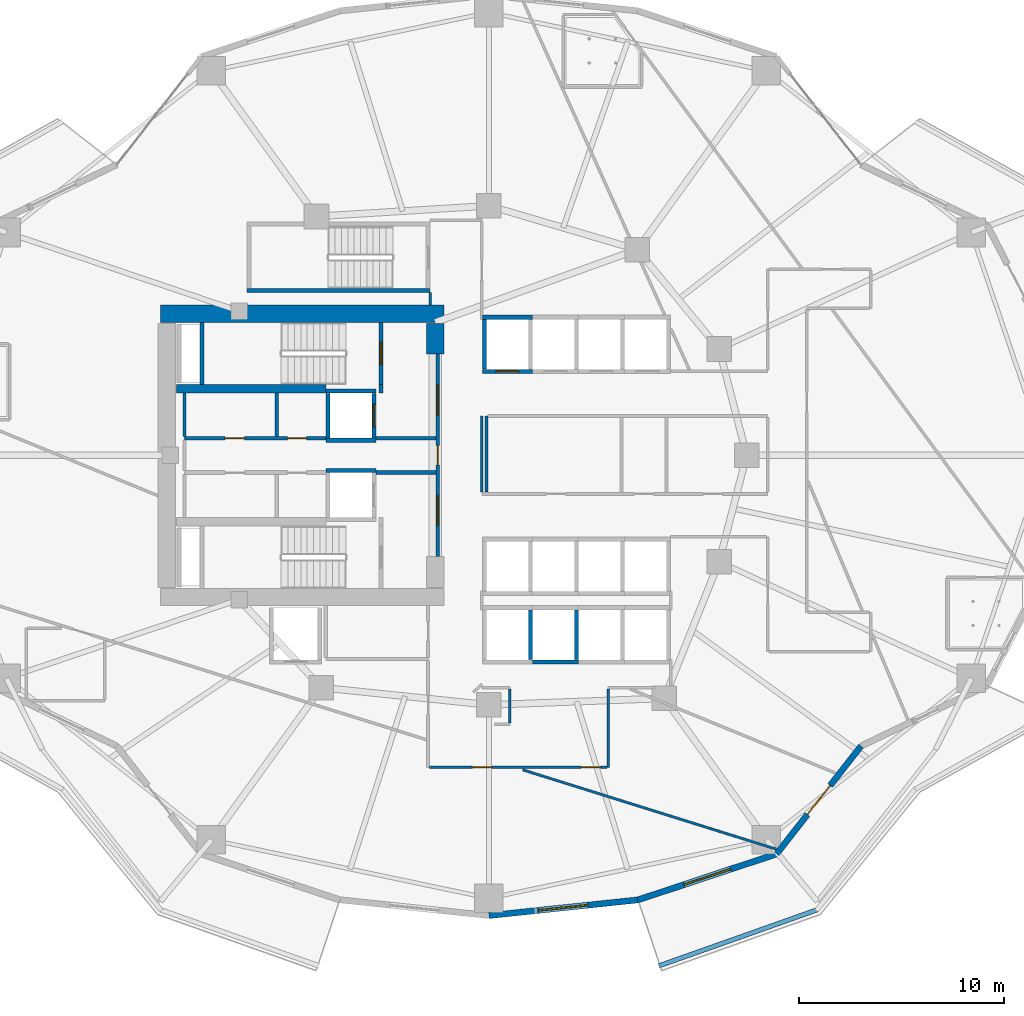
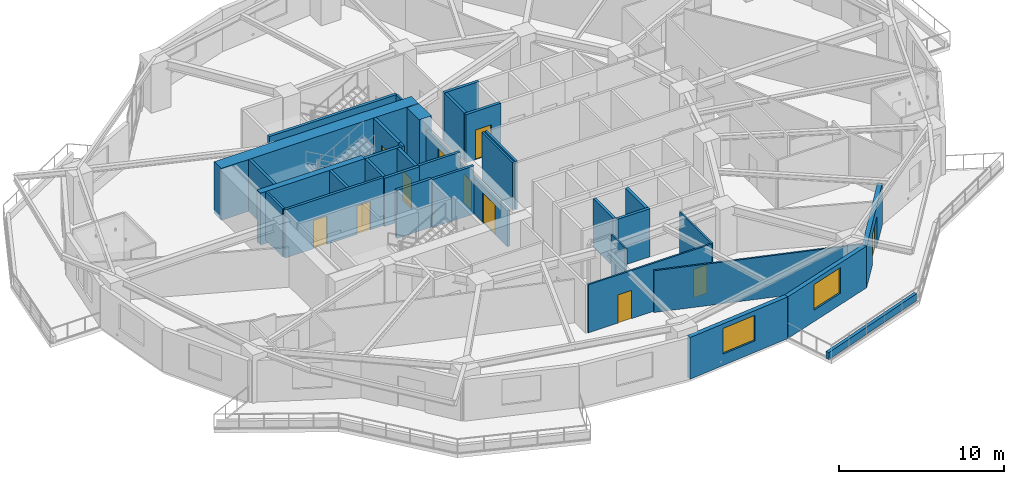
# One storey, part 6 of 18: 35 walls, 11 doors, 2 windows, 13 openings.
"""IFC4 building model written with IfcOpenShell, lengths in metres."""

import ifcopenshell
import ifcopenshell.guid

model = None  # the IFC model being written
_history = None  # IfcOwnerHistory: only IFC2X3 demands one
_inside = {}  # id of a spatial element -> (the spatial element, [elements in it])
_under = {}  # id of a project, library or spatial element -> (it, [spatial elements below it])
_declared = {}  # id of a project -> (the project, [libraries it declares])
_typed = {}  # id of a type object -> (the type object, [elements of that type])
_made_of = {}  # id of a material, layer set ... -> (it, [elements and type objects made of it])


def new_model(schema):
    """Start an empty IFC model of exactly this schema.

    Asked for "IFC4X3", IfcOpenShell would pick the latest addendum, in which some entities
    have other attributes; the version numbers below select the first issue.
    IFC2X3 requires an IfcOwnerHistory on every rooted entity: one is made here for all.
    """
    global model, _history
    if schema == "IFC4X3":
        model = ifcopenshell.file(schema_version=(4, 3, 0, 0))
    else:
        model = ifcopenshell.file(schema=schema)
    _inside.clear()
    _under.clear()
    _declared.clear()
    _typed.clear()
    _made_of.clear()
    _history = None
    if model.schema == "IFC2X3":
        org = make("IfcOrganization", Name="unknown")
        user = make(
            "IfcPersonAndOrganization",
            ThePerson=make("IfcPerson", FamilyName="unknown"),
            TheOrganization=org,
        )
        app = make(
            "IfcApplication",
            ApplicationDeveloper=org,
            Version="unknown",
            ApplicationFullName="unknown",
            ApplicationIdentifier="unknown",
        )
        _history = make(
            "IfcOwnerHistory",
            OwningUser=user,
            OwningApplication=app,
            ChangeAction="ADDED",
            CreationDate=0,
        )
    return model


def make(cls, **values):
    """One entity of the class cls with the attributes given. An attribute that is None is left unset."""
    return model.create_entity(
        cls, **{name: value for name, value in values.items() if value is not None}
    )


def rooted(cls, **values):
    """An entity with a GlobalId (a new one), such as an element, a storey or a relation."""
    return make(cls, GlobalId=ifcopenshell.guid.new(), OwnerHistory=_history, **values)


def si_unit(unit_type, name, prefix=None):
    """IfcSIUnit, for example si_unit("LENGTHUNIT", "METRE", prefix="MILLI")."""
    return make("IfcSIUnit", UnitType=unit_type, Prefix=prefix, Name=name)


def assignment(units):
    """IfcUnitAssignment: the units of a project."""
    return None if units is None else make("IfcUnitAssignment", Units=units)


def point(xyz):
    """IfcCartesianPoint."""
    return None if xyz is None else make("IfcCartesianPoint", Coordinates=xyz)


def direction(xyz):
    """IfcDirection."""
    return None if xyz is None else make("IfcDirection", DirectionRatios=xyz)


def frame(location, z_axis=None, x_axis=None):
    """IfcAxis2Placement3D, a coordinate frame: its origin and axes. An axis left out is left unset."""
    return make(
        "IfcAxis2Placement3D",
        Location=point(location),
        Axis=direction(z_axis),
        RefDirection=direction(x_axis),
    )


def frame_2d(location, x_axis=None):
    """IfcAxis2Placement2D, a coordinate frame in the plane: its origin and x axis."""
    return make(
        "IfcAxis2Placement2D", Location=point(location), RefDirection=direction(x_axis)
    )


def origin():
    """The frame at (0, 0, 0) with its axes left unset."""
    return frame((0.0, 0.0, 0.0))


def place(relative_to, where):
    """IfcLocalPlacement: puts the frame where relative to a parent placement (None: the world)."""
    return make(
        "IfcLocalPlacement", PlacementRelTo=relative_to, RelativePlacement=where
    )


def context(
    kind, dimensions, precision=None, world=None, true_north=None, identifier=None
):
    """IfcGeometricRepresentationContext, for example the 3D "Model" context."""
    return make(
        "IfcGeometricRepresentationContext",
        ContextIdentifier=identifier,
        ContextType=kind,
        CoordinateSpaceDimension=dimensions,
        Precision=precision,
        WorldCoordinateSystem=world,
        TrueNorth=true_north,
    )


def subcontext(parent, identifier, kind, view, scale=None):
    """IfcGeometricRepresentationSubContext, for example "Body" below "Model"."""
    return make(
        "IfcGeometricRepresentationSubContext",
        ContextIdentifier=identifier,
        ContextType=kind,
        ParentContext=parent,
        TargetScale=scale,
        TargetView=view,
    )


def project(units=None, contexts=None):
    """IfcProject with its units and contexts."""
    return rooted(
        "IfcProject",
        Name="project",
        RepresentationContexts=contexts,
        UnitsInContext=assignment(units),
    )


def spatial(cls, under=None, at=None, **own):
    """A site, building, storey or space (cls), placed at a placement, below another one or the project."""
    s = rooted(cls, ObjectPlacement=at, **own)
    if under is not None:
        _under.setdefault(under.id(), (under, []))[1].append(s)
    return s


def profile(cls, at=None, kind="AREA", **sizes):
    """A parametric profile (cls). Its sizes go by their IFC names, for example OverallWidth=200.0."""
    return make(cls, ProfileType=kind, Position=at, **sizes)


def rectangle(**sizes):
    """IfcRectangleProfileDef."""
    return profile("IfcRectangleProfileDef", **sizes)


def extrude(swept, where, along, depth):
    """IfcExtrudedAreaSolid: the profile swept, set in the frame where, extruded along a direction by depth."""
    return make(
        "IfcExtrudedAreaSolid",
        SweptArea=swept,
        Position=where,
        ExtrudedDirection=direction(along),
        Depth=depth,
    )


def shape(context_of_items, identifier, shape_type, items):
    """IfcShapeRepresentation: the items that make up one representation, for example the "Body"."""
    return make(
        "IfcShapeRepresentation",
        ContextOfItems=context_of_items,
        RepresentationIdentifier=identifier,
        RepresentationType=shape_type,
        Items=items,
    )


def material(Name=None, Category=None):
    """IfcMaterial."""
    return make("IfcMaterial", Name=Name, Category=Category)


def layer(
    of_material, thickness, ventilated=None, Name=None, Category=None, Priority=None
):
    """IfcMaterialLayer: one layer of a wall or slab, of a material (None: an air gap)."""
    return make(
        "IfcMaterialLayer",
        Material=of_material,
        LayerThickness=thickness,
        IsVentilated=ventilated,
        Name=Name,
        Category=Category,
        Priority=Priority,
    )


def layer_set(layers, Name=None):
    """IfcMaterialLayerSet."""
    return make("IfcMaterialLayerSet", MaterialLayers=layers, LayerSetName=Name)


def made_of(thing, what):
    """Note that an element or type object is made of a material, layer set ...; save() writes the relation."""
    if what is not None:
        _made_of.setdefault(what.id(), (what, []))[1].append(thing)
    return thing


def type_object(cls, material=None, **own):
    """A type object (cls), such as IfcWallType, which elements share."""
    return made_of(rooted(cls, **own), material)


def element(
    cls,
    number,
    at=None,
    inside=None,
    cuts=None,
    type_object=None,
    material=None,
    context=None,
    identifier="Body",
    shape_type=None,
    held_by="IfcProductDefinitionShape",
    body=None,
    shapes=None,
    **own,
):
    """One element of the class cls, such as IfcWall. Its Tag is "e" and its number.

    at: its placement. inside: the storey or other place that contains it. cuts: it is an
    opening in that element (IfcRelVoidsElement). A single representation is given by context,
    identifier, shape_type and body (its items); several are given by shapes. held_by: the class
    of the entity that holds the representations. save() writes the other relations.
    """
    e = rooted(cls, Tag="e%d" % number, ObjectPlacement=at, **own)
    if body is not None:
        shapes = [shape(context, identifier, shape_type, body)]
    if shapes is not None:
        e.Representation = make(held_by, Representations=shapes)
    if inside is not None:
        _inside.setdefault(inside.id(), (inside, []))[1].append(e)
    if cuts is not None:
        rooted(
            "IfcRelVoidsElement", RelatingBuildingElement=cuts, RelatedOpeningElement=e
        )
    if type_object is not None:
        _typed.setdefault(type_object.id(), (type_object, []))[1].append(e)
    return made_of(e, material)


def fill(opening, filler):
    """IfcRelFillsElement: the door or window that sits in an opening."""
    return rooted(
        "IfcRelFillsElement",
        RelatingOpeningElement=opening,
        RelatedBuildingElement=filler,
    )


def aggregate(whole, parts):
    """IfcRelAggregates: a whole, such as a stair, and the parts it consists of."""
    return rooted("IfcRelAggregates", RelatingObject=whole, RelatedObjects=parts)


def save(model, path):
    """Write the relations noted so far, then the file.

    IfcRelAggregates (storeys below a building ...), IfcRelContainedInSpatialStructure (elements
    in a storey), IfcRelDefinesByType, IfcRelAssociatesMaterial and IfcRelDeclares: one each for
    every whole, place, type object, material and project.
    """
    for whole, parts in _under.values():
        aggregate(whole, parts)
    for where, things in _inside.values():
        rooted(
            "IfcRelContainedInSpatialStructure",
            RelatedElements=things,
            RelatingStructure=where,
        )
    for kind, things in _typed.values():
        rooted("IfcRelDefinesByType", RelatedObjects=things, RelatingType=kind)
    for what, things in _made_of.values():
        rooted("IfcRelAssociatesMaterial", RelatedObjects=things, RelatingMaterial=what)
    for by, libraries in _declared.values():
        rooted("IfcRelDeclares", RelatingContext=by, RelatedDefinitions=libraries)
    model.write(path)


model = new_model("IFC4")

# Units and contexts
model_context = context("Model", 3, precision=1e-05, world=origin(), true_north=direction((0.0, 1.0)))
body_context = subcontext(model_context, "Body", "Model", "MODEL_VIEW")
ifc_project = project(units=[si_unit("LENGTHUNIT", "METRE"), si_unit("AREAUNIT", "SQUARE_METRE"), si_unit("VOLUMEUNIT", "CUBIC_METRE"), si_unit("PLANEANGLEUNIT", "RADIAN"), si_unit("MASSUNIT", "GRAM", prefix="KILO")], contexts=[model_context])

# Site, building, storey
site_placement = place(None, origin())
site = spatial("IfcSite", under=ifc_project, at=site_placement, CompositionType="ELEMENT")
building_placement = place(site_placement, origin())
building = spatial("IfcBuilding", under=site, at=building_placement, Name="Kolvaren Gate Tower and Convention Centre", CompositionType="ELEMENT")
storey_placement = place(building_placement, frame((0.0, 0.0, 30.35009765625)))
storey = spatial("IfcBuildingStorey", under=building, at=storey_placement, Name="L06", CompositionType="ELEMENT", Elevation=30.35009765625)

# Wall
ifc_material_1 = material(Name="Autoclaved Aerated Masonry Blockwork Class 4 (4.0 MPa)", Category="masonry")
ifc_layer_1 = layer(ifc_material_1, 0.179931640625)
ifc_layer_set_1 = layer_set([ifc_layer_1], Name="Autoclaved Aerated Masonry Blockwork Class 4 (4.0 MPa)")
wall_type_1 = type_object("IfcWallType", Name="ARCH-WL-COMP-180", PredefinedType="SOLIDWALL", material=ifc_layer_set_1)
wall_1_placement = place(storey_placement, frame((24.85009765625, 30.0400390625, 0.0), z_axis=(0.0, 0.0, 1.0), x_axis=(0.0, 1.0, 0.0)))
element("IfcWall", 1, at=wall_1_placement, inside=storey, type_object=wall_type_1, Name="Interior Partition WL-L06-INT-002", PredefinedType="SOLIDWALL", context=body_context, shape_type="SweptSolid", body=[
    extrude(rectangle(XDim=0.419921875, YDim=0.179931640625, at=frame_2d((0.2099609375, 0.0))), origin(), (0.0, 0.0, 1.0), 3.56982421875),
])

# Wall, openings, doors
wall_2_placement = place(storey_placement, frame((27.6201171875, 22.050048828125, 0.0), z_axis=(0.0, 0.0, 1.0), x_axis=(0.0, 1.0, 0.0)))
wall_2 = element("IfcWall", 2, at=wall_2_placement, inside=storey, type_object=wall_type_1, Name="Interior Partition WL-L06-INT-003", PredefinedType="SOLIDWALL", context=body_context, shape_type="SweptSolid", body=[
    extrude(rectangle(XDim=9.89990234375, YDim=0.179931640625, at=frame_2d((4.949951171875, 0.0))), origin(), (0.0, 0.0, 1.0), 2.661865234375),
])
opening_1_placement = place(wall_2_placement, frame((4.47509765625, 0.0, 0.0)))
opening_1 = element("IfcOpeningElement", 3, at=opening_1_placement, cuts=wall_2, Name="Opening DR-01", PredefinedType="OPENING", context=body_context, shape_type="SweptSolid", body=[
    extrude(rectangle(XDim=0.949951171875, YDim=2.10009765625, at=frame_2d((0.47509765625, 1.050048828125))), frame((0.0, 0.099853515625, 0.0), z_axis=(0.0, -1.0, 0.0), x_axis=(1.0, 0.0, 0.0)), (0.0, 0.0, 1.0), 0.199951171875),
])
opening_2_placement = place(wall_2_placement, frame((6.889892578125, 0.0, 0.0)))
opening_2 = element("IfcOpeningElement", 4, at=opening_2_placement, cuts=wall_2, Name="Opening DL-01", PredefinedType="OPENING", context=body_context, shape_type="SweptSolid", body=[
    extrude(rectangle(XDim=1.5, YDim=2.199951171875, at=frame_2d((0.75, 1.10009765625))), frame((0.0, 0.099853515625, 0.0), z_axis=(0.0, -1.0, 0.0), x_axis=(1.0, 0.0, 0.0)), (0.0, 0.0, 1.0), 0.199951171875),
])
opening_3_placement = place(wall_2_placement, frame((1.510009765625, 0.0, 0.0)))
opening_3 = element("IfcOpeningElement", 5, at=opening_3_placement, cuts=wall_2, Name="Opening DL-01", PredefinedType="OPENING", context=body_context, shape_type="SweptSolid", body=[
    extrude(rectangle(XDim=1.5, YDim=2.199951171875, at=frame_2d((0.75, 1.10009765625))), frame((0.0, 0.099853515625, 0.0), z_axis=(0.0, -1.0, 0.0), x_axis=(1.0, 0.0, 0.0)), (0.0, 0.0, 1.0), 0.199951171875),
])
ifc_material_2 = material(Name="Painted Architectural Steelwork ASTM A500 Grade C 345 MPa", Category="steel")
door_type_1 = type_object("IfcDoorType", Name="ARCH-DR-LOBBY-1500", OperationType="DOUBLE_DOOR_SINGLE_SWING", PredefinedType="DOOR", material=ifc_material_2)
door_1_placement = place(opening_2_placement, origin())
door_1 = element("IfcDoor", 6, at=door_1_placement, inside=storey, type_object=door_type_1, Name="North Firefighting Stair and Lift Lobby Door", OperationType="DOUBLE_DOOR_SINGLE_SWING", OverallHeight=2.199951171875, OverallWidth=1.5, PredefinedType="DOOR", context=body_context, shape_type="SweptSolid", body=[
    extrude(rectangle(XDim=1.5, YDim=2.199951171875, at=frame_2d((0.75, 1.10009765625))), frame((0.0, 0.02490234375, 0.0), z_axis=(0.0, -1.0, 0.0), x_axis=(1.0, 0.0, 0.0)), (0.0, 0.0, 1.0), 0.050048828125),
])
fill(opening_2, door_1)
door_2_placement = place(opening_3_placement, origin())
door_2 = element("IfcDoor", 7, at=door_2_placement, inside=storey, type_object=door_type_1, Name="South Firefighting Stair and Lift Lobby Door", OperationType="DOUBLE_DOOR_SINGLE_SWING", OverallHeight=2.199951171875, OverallWidth=1.5, PredefinedType="DOOR", context=body_context, shape_type="SweptSolid", body=[
    extrude(rectangle(XDim=1.5, YDim=2.199951171875, at=frame_2d((0.75, 1.10009765625))), frame((0.0, 0.02490234375, 0.0), z_axis=(0.0, -1.0, 0.0), x_axis=(1.0, 0.0, 0.0)), (0.0, 0.0, 1.0), 0.050048828125),
])
fill(opening_3, door_2)
door_type_2 = type_object("IfcDoorType", Name="ARCH-DR-RISER-950", OperationType="SINGLE_SWING_RIGHT", PredefinedType="DOOR", material=ifc_material_2)
door_3_placement = place(opening_1_placement, origin())
door_3 = element("IfcDoor", 8, at=door_3_placement, inside=storey, type_object=door_type_2, Name="Central MEP Service Corridor Door", OperationType="SINGLE_SWING_LEFT", OverallHeight=2.10009765625, OverallWidth=0.949951171875, PredefinedType="DOOR", context=body_context, shape_type="SweptSolid", body=[
    extrude(rectangle(XDim=0.949951171875, YDim=2.10009765625, at=frame_2d((0.47509765625, 1.050048828125))), frame((0.0, 0.02490234375, 0.0), z_axis=(0.0, -1.0, 0.0), x_axis=(1.0, 0.0, 0.0)), (0.0, 0.0, 1.0), 0.050048828125),
])
fill(opening_1, door_3)

wall_3_placement = place(storey_placement, frame((15.25, 27.840087890625, 0.0), z_axis=(0.0, 0.0, 1.0), x_axis=(1.0, 0.0, 0.0)))
wall_3 = element("IfcWall", 9, at=wall_3_placement, inside=storey, type_object=wall_type_1, Name="Interior Partition WL-L06-INT-004", PredefinedType="SOLIDWALL", context=body_context, shape_type="SweptSolid", body=[
    extrude(rectangle(XDim=6.89990234375, YDim=0.179931640625, at=frame_2d((3.449951171875, 0.0))), origin(), (0.0, 0.0, 1.0), 3.56982421875),
])
opening_4_placement = place(wall_3_placement, frame((5.02001953125, 0.0, 0.0)))
opening_4 = element("IfcOpeningElement", 10, at=opening_4_placement, cuts=wall_3, Name="Opening DR-01", PredefinedType="OPENING", context=body_context, shape_type="SweptSolid", body=[
    extrude(rectangle(XDim=0.949951171875, YDim=2.10009765625, at=frame_2d((0.47509765625, 1.050048828125))), frame((0.0, 0.099853515625, 0.0), z_axis=(0.0, -1.0, 0.0), x_axis=(1.0, 0.0, 0.0)), (0.0, 0.0, 1.0), 0.199951171875),
])
opening_5_placement = place(wall_3_placement, frame((1.97998046875, 0.0, 0.0)))
opening_5 = element("IfcOpeningElement", 11, at=opening_5_placement, cuts=wall_3, Name="Opening DR-01", PredefinedType="OPENING", context=body_context, shape_type="SweptSolid", body=[
    extrude(rectangle(XDim=0.949951171875, YDim=2.10009765625, at=frame_2d((0.47509765625, 1.050048828125))), frame((0.0, 0.099853515625, 0.0), z_axis=(0.0, -1.0, 0.0), x_axis=(1.0, 0.0, 0.0)), (0.0, 0.0, 1.0), 0.199951171875),
])
door_4_placement = place(opening_4_placement, origin())
door_4 = element("IfcDoor", 12, at=door_4_placement, inside=storey, type_object=door_type_2, Name="Electrical Switchgear Closet Door", OperationType="SINGLE_SWING_RIGHT", OverallHeight=2.10009765625, OverallWidth=0.949951171875, PredefinedType="DOOR", context=body_context, shape_type="SweptSolid", body=[
    extrude(rectangle(XDim=0.949951171875, YDim=2.10009765625, at=frame_2d((0.47509765625, 1.050048828125))), frame((0.0, 0.02490234375, 0.0), z_axis=(0.0, -1.0, 0.0), x_axis=(1.0, 0.0, 0.0)), (0.0, 0.0, 1.0), 0.050048828125),
])
fill(opening_4, door_4)
door_5_placement = place(opening_5_placement, origin())
door_5 = element("IfcDoor", 13, at=door_5_placement, inside=storey, type_object=door_type_2, Name="Staff Powder Washroom Door", OperationType="SINGLE_SWING_RIGHT", OverallHeight=2.10009765625, OverallWidth=0.949951171875, PredefinedType="DOOR", context=body_context, shape_type="SweptSolid", body=[
    extrude(rectangle(XDim=0.949951171875, YDim=2.10009765625, at=frame_2d((0.47509765625, 1.050048828125))), frame((0.0, 0.02490234375, 0.0), z_axis=(0.0, -1.0, 0.0), x_axis=(1.0, 0.0, 0.0)), (0.0, 0.0, 1.0), 0.050048828125),
])
fill(opening_5, door_5)

# Walls
for number, where, z_axis, x_axis, name in (
    (14, (24.60009765625, 27.840087890625, 0.0), (0.0, 0.0, 1.0), (1.0, 0.0, 0.0), "Interior Partition WL-L06-INT-004 (2)"),
    (15, (24.60009765625, 26.159912109375, 0.0), (0.0, 0.0, 1.0), (1.0, 0.0, 0.0), "Interior Partition WL-L06-INT-005 (2)"),
):
    element("IfcWall", number, at=place(storey_placement, frame(where, z_axis=z_axis, x_axis=x_axis)), inside=storey, type_object=wall_type_1, Name=name, PredefinedType="SOLIDWALL", context=body_context, shape_type="SweptSolid", body=[
        extrude(rectangle(XDim=2.927978515625, YDim=0.179931640625, at=frame_2d((1.4638671875, 0.0))), origin(), (0.0, 0.0, 1.0), 3.56982421875),
    ])
wall_4_placement = place(storey_placement, frame((19.75, 27.931884765625, 0.0), z_axis=(0.0, 0.0, 1.0), x_axis=(0.0, 1.0, 0.0)))
element("IfcWall", 16, at=wall_4_placement, inside=storey, type_object=wall_type_1, Name="Interior Partition WL-L06-INT-008", PredefinedType="SOLIDWALL", context=body_context, shape_type="SweptSolid", body=[
    extrude(rectangle(XDim=2.106201171875, YDim=0.179931640625, at=frame_2d((1.05322265625, 0.0))), origin(), (0.0, 0.0, 1.0), 3.56982421875),
])
ifc_material_3 = material(Name="Fire-Rated Acoustic Gypsum Stud Partition", Category="gypsum")
ifc_layer_2 = layer(ifc_material_3, 0.1201171875)
ifc_layer_set_2 = layer_set([ifc_layer_2], Name="Fire-Rated Acoustic Gypsum Stud Partition")
wall_type_2 = type_object("IfcWallType", Name="ARCH-WL-PART-120", PredefinedType="PARTITIONING", material=ifc_layer_set_2)
wall_5_placement = place(storey_placement, frame((35.949951171875, 11.75, 0.0), z_axis=(0.0, 0.0, 1.0), x_axis=(0.0, 1.0, 0.0)))
element("IfcWall", 17, at=wall_5_placement, inside=storey, type_object=wall_type_2, Name="Interior Partition WL-L06-INT-019", PredefinedType="PARTITIONING", context=body_context, shape_type="SweptSolid", body=[
    extrude(rectangle(XDim=3.837890625, YDim=0.1201171875, at=frame_2d((1.9189453125, 0.0))), origin(), (0.0, 0.0, 1.0), 3.56982421875),
])

# Wall, openings, doors
wall_6_placement = place(storey_placement, frame((27.22705078125, 11.75, 0.0), z_axis=(0.0, 0.0, 1.0), x_axis=(1.0, 0.0, 0.0)))
wall_6 = element("IfcWall", 18, at=wall_6_placement, inside=storey, type_object=wall_type_2, Name="Interior Partition WL-L06-INT-020", PredefinedType="PARTITIONING", context=body_context, shape_type="SweptSolid", body=[
    extrude(rectangle(XDim=8.660888671875, YDim=0.1201171875, at=frame_2d((4.33056640625, 0.0))), origin(), (0.0, 0.0, 1.0), 3.56982421875),
])
opening_6_placement = place(wall_6_placement, frame((2.09130859375, 0.0, 0.0)))
opening_6 = element("IfcOpeningElement", 19, at=opening_6_placement, cuts=wall_6, Name="Opening DR-01", PredefinedType="OPENING", context=body_context, shape_type="SweptSolid", body=[
    extrude(rectangle(XDim=0.949951171875, YDim=2.10009765625, at=frame_2d((0.47509765625, 1.050048828125))), frame((0.0, 0.070068359375, 0.0), z_axis=(0.0, -1.0, 0.0), x_axis=(1.0, 0.0, 0.0)), (0.0, 0.0, 1.0), 0.14013671875),
])
opening_7_placement = place(wall_6_placement, frame((7.408203125, 0.0, 0.0)))
opening_7 = element("IfcOpeningElement", 20, at=opening_7_placement, cuts=wall_6, Name="Opening DR-01", PredefinedType="OPENING", context=body_context, shape_type="SweptSolid", body=[
    extrude(rectangle(XDim=0.949951171875, YDim=2.10009765625, at=frame_2d((0.47509765625, 1.050048828125))), frame((0.0, 0.070068359375, 0.0), z_axis=(0.0, -1.0, 0.0), x_axis=(1.0, 0.0, 0.0)), (0.0, 0.0, 1.0), 0.14013671875),
])
door_6_placement = place(opening_6_placement, origin())
door_6 = element("IfcDoor", 21, at=door_6_placement, inside=storey, type_object=door_type_2, Name="Open-Plan Office Suite Door", OperationType="SINGLE_SWING_RIGHT", OverallHeight=2.10009765625, OverallWidth=0.949951171875, PredefinedType="DOOR", context=body_context, shape_type="SweptSolid", body=[
    extrude(rectangle(XDim=0.949951171875, YDim=2.10009765625, at=frame_2d((0.47509765625, 1.050048828125))), frame((0.0, 0.02490234375, 0.0), z_axis=(0.0, -1.0, 0.0), x_axis=(1.0, 0.0, 0.0)), (0.0, 0.0, 1.0), 0.050048828125),
])
fill(opening_6, door_6)
door_7_placement = place(opening_7_placement, origin())
door_7 = element("IfcDoor", 22, at=door_7_placement, inside=storey, type_object=door_type_2, Name="Tenant Cellular Office Door", OperationType="SINGLE_SWING_LEFT", OverallHeight=2.10009765625, OverallWidth=0.949951171875, PredefinedType="DOOR", context=body_context, shape_type="SweptSolid", body=[
    extrude(rectangle(XDim=0.949951171875, YDim=2.10009765625, at=frame_2d((0.47509765625, 1.050048828125))), frame((0.0, 0.02490234375, 0.0), z_axis=(0.0, -1.0, 0.0), x_axis=(1.0, 0.0, 0.0)), (0.0, 0.0, 1.0), 0.050048828125),
])
fill(opening_7, door_7)

# Walls
wall_7_placement = place(storey_placement, frame((27.25, 34.35205078125, 0.0), z_axis=(0.0, 0.0, 1.0), x_axis=(0.0, 1.0, 0.0)))
element("IfcWall", 23, at=wall_7_placement, inside=storey, type_object=wall_type_2, Name="Interior Partition WL-L06-INT-021", PredefinedType="PARTITIONING", context=body_context, shape_type="SweptSolid", body=[
    extrude(rectangle(XDim=0.60595703125, YDim=0.1201171875, at=frame_2d((0.302978515625, 0.0))), origin(), (0.0, 0.0, 1.0), 3.56982421875),
])
wall_8_placement = place(storey_placement, frame((29.780029296875, 25.197021484375, 0.0), z_axis=(0.0, 0.0, 1.0), x_axis=(0.0, 1.0, 0.0)))
element("IfcWall", 24, at=wall_8_placement, inside=storey, type_object=wall_type_2, Name="Interior Partition WL-L06-INT-024", PredefinedType="PARTITIONING", context=body_context, shape_type="SweptSolid", body=[
    extrude(rectangle(XDim=3.722900390625, YDim=0.1201171875, at=frame_2d((1.861328125, 0.0))), origin(), (0.0, 0.0, 1.0), 3.56982421875),
])
wall_9_placement = place(storey_placement, frame((31.14990234375, 13.912109375, 0.0), z_axis=(0.0, 0.0, 1.0), x_axis=(0.0, 1.0, 0.0)))
element("IfcWall", 25, at=wall_9_placement, inside=storey, type_object=wall_type_2, Name="Interior Partition WL-L06-INT-041", PredefinedType="PARTITIONING", context=body_context, shape_type="SweptSolid", body=[
    extrude(rectangle(XDim=1.67578125, YDim=0.1201171875, at=frame_2d((0.837890625, 0.0))), origin(), (0.0, 0.0, 1.0), 3.56982421875),
])
wall_10_placement = place(storey_placement, frame((31.7744140625, 11.6279296875, 0.0), z_axis=(0.0, 0.0, 1.0), x_axis=(0.954372945157, -0.298617282742, 0.0)))
element("IfcWall", 26, at=wall_10_placement, inside=storey, type_object=wall_type_2, Name="Interior Partition WL-L06-INT-045", PredefinedType="PARTITIONING", context=body_context, shape_type="SweptSolid", body=[
    extrude(rectangle(XDim=12.995361328125, YDim=0.1201171875, at=frame_2d((6.49755859375, 0.0))), origin(), (0.0, 0.0, 1.0), 3.093017578125),
])
ifc_material_4 = material(Name="Piedmont Cream Honed Limestone Cladding", Category="masonry")
ifc_layer_3 = layer(ifc_material_4, 0.219970703125)
ifc_layer_set_3 = layer_set([ifc_layer_3], Name="Piedmont Cream Honed Limestone Cladding")
wall_type_3 = type_object("IfcWallType", Name="ARCH-WL-PLANTER-220", PredefinedType="PARAPET", material=ifc_layer_set_3)
wall_11_placement = place(storey_placement, frame((38.43798828125, 2.044921875, 0.0), z_axis=(0.0, 0.0, 1.0), x_axis=(0.942581348797, 0.333976647237, 0.0)))
element("IfcWall", 27, at=wall_11_placement, inside=storey, type_object=wall_type_3, Name="Vertical-Forest Balcony Stone Planter Kerb PK-L06-4.1", PredefinedType="PARAPET", context=body_context, shape_type="SweptSolid", body=[
    extrude(rectangle(XDim=8.235595703125, YDim=0.219970703125, at=frame_2d((4.11767578125, 0.0))), origin(), (0.0, 0.0, 1.0), 0.52001953125),
])
ifc_layer_4 = layer(ifc_material_1, 0.199951171875)
ifc_layer_set_4 = layer_set([ifc_layer_4], Name="Autoclaved Aerated Masonry Blockwork Class 4 (4.0 MPa)")
wall_type_4 = type_object("IfcWallType", Name="ARCH-WL-SHAFT-200", PredefinedType="SOLIDWALL", material=ifc_layer_set_4)
for number, where, z_axis, x_axis, name in (
    (28, (22.14990234375, 30.139892578125, 0.0), (0.0, 0.0, 1.0), (1.0, 0.0, 0.0), "Elevator FF-01 L06 Fire Shaft Wall N"),
    (29, (22.14990234375, 27.739990234375, 0.0), (0.0, 0.0, 1.0), (1.0, 0.0, 0.0), "Elevator FF-01 L06 Fire Shaft Wall S"),
):
    element("IfcWall", number, at=place(storey_placement, frame(where, z_axis=z_axis, x_axis=x_axis)), inside=storey, type_object=wall_type_4, Name=name, PredefinedType="SOLIDWALL", context=body_context, shape_type="SweptSolid", body=[
        extrude(rectangle(XDim=2.4501953125, YDim=0.199951171875, at=frame_2d((1.22509765625, 0.0))), origin(), (0.0, 0.0, 1.0), 3.56982421875),
    ])
wall_12_placement = place(storey_placement, frame((22.25, 27.85009765625, 0.0), z_axis=(0.0, 0.0, 1.0), x_axis=(0.0, 1.0, 0.0)))
element("IfcWall", 30, at=wall_12_placement, inside=storey, type_object=wall_type_4, Name="Elevator FF-01 L06 Fire Shaft Wall W", PredefinedType="SOLIDWALL", context=body_context, shape_type="SweptSolid", body=[
    extrude(rectangle(XDim=2.179931640625, YDim=0.199951171875, at=frame_2d((1.08984375, 0.0))), origin(), (0.0, 0.0, 1.0), 3.56982421875),
])

# Wall, opening, door
wall_13_placement = place(storey_placement, frame((24.5, 27.85009765625, 0.0), z_axis=(0.0, 0.0, 1.0), x_axis=(0.0, 1.0, 0.0)))
wall_13 = element("IfcWall", 31, at=wall_13_placement, inside=storey, type_object=wall_type_4, Name="Elevator FF-01 L06 Fire Shaft Wall E", PredefinedType="SOLIDWALL", context=body_context, shape_type="SweptSolid", body=[
    extrude(rectangle(XDim=2.179931640625, YDim=0.199951171875, at=frame_2d((1.08984375, 0.0))), origin(), (0.0, 0.0, 1.0), 3.56982421875),
])
opening_8_placement = place(wall_13_placement, frame((0.5400390625, 0.0, 0.0)))
opening_8 = element("IfcOpeningElement", 32, at=opening_8_placement, cuts=wall_13, Name="Opening LD", PredefinedType="OPENING", context=body_context, shape_type="SweptSolid", body=[
    extrude(rectangle(XDim=1.10009765625, YDim=2.199951171875, at=frame_2d((0.550048828125, 1.10009765625))), frame((0.0, 0.10986328125, 0.0), z_axis=(0.0, -1.0, 0.0), x_axis=(1.0, 0.0, 0.0)), (0.0, 0.0, 1.0), 0.219970703125),
])
ifc_material_5 = material(Name="Brushed Stainless Steel Grade 316L", Category="steel")
door_type_3 = type_object("IfcDoorType", Name="ARCH-DR-LIFT-1100", OperationType="SLIDING_TO_LEFT", PredefinedType="DOOR", material=ifc_material_5)
door_8_placement = place(opening_8_placement, origin())
door_8 = element("IfcDoor", 33, at=door_8_placement, inside=storey, type_object=door_type_3, Name="Elevator FF-01 L06 Sliding Landing Door", OperationType="SLIDING_TO_LEFT", OverallHeight=2.199951171875, OverallWidth=1.10009765625, PredefinedType="DOOR", context=body_context, shape_type="SweptSolid", body=[
    extrude(rectangle(XDim=1.10009765625, YDim=2.199951171875, at=frame_2d((0.550048828125, 1.10009765625))), frame((0.0, 0.02490234375, 0.0), z_axis=(0.0, -1.0, 0.0), x_axis=(1.0, 0.0, 0.0)), (0.0, 0.0, 1.0), 0.050048828125),
])
fill(opening_8, door_8)

# Walls
wall_14_placement = place(storey_placement, frame((22.14990234375, 26.260009765625, 0.0), z_axis=(0.0, 0.0, 1.0), x_axis=(1.0, 0.0, 0.0)))
element("IfcWall", 34, at=wall_14_placement, inside=storey, type_object=wall_type_4, Name="Elevator FF-02 L06 Fire Shaft Wall N", PredefinedType="SOLIDWALL", context=body_context, shape_type="SweptSolid", body=[
    extrude(rectangle(XDim=2.4501953125, YDim=0.199951171875, at=frame_2d((1.22509765625, 0.0))), origin(), (0.0, 0.0, 1.0), 3.56982421875),
])
wall_15_placement = place(storey_placement, frame((29.800048828125, 33.75, 0.0), z_axis=(0.0, 0.0, 1.0), x_axis=(1.0, 0.0, 0.0)))
element("IfcWall", 35, at=wall_15_placement, inside=storey, type_object=wall_type_4, Name="Elevator PL-01 L06 Fire Shaft Wall N", PredefinedType="SOLIDWALL", context=body_context, shape_type="SweptSolid", body=[
    extrude(rectangle(XDim=2.449951171875, YDim=0.199951171875, at=frame_2d((1.22509765625, 0.0))), origin(), (0.0, 0.0, 1.0), 3.56982421875),
])

# Wall, opening, door
wall_16_placement = place(storey_placement, frame((29.800048828125, 31.10009765625, 0.0), z_axis=(0.0, 0.0, 1.0), x_axis=(1.0, 0.0, 0.0)))
wall_16 = element("IfcWall", 36, at=wall_16_placement, inside=storey, type_object=wall_type_4, Name="Elevator PL-01 L06 Fire Shaft Wall S", PredefinedType="SOLIDWALL", context=body_context, shape_type="SweptSolid", body=[
    extrude(rectangle(XDim=2.449951171875, YDim=0.199951171875, at=frame_2d((1.22509765625, 0.0))), origin(), (0.0, 0.0, 1.0), 3.56982421875),
])
opening_9_placement = place(wall_16_placement, frame((0.675048828125, 0.0, 0.0)))
opening_9 = element("IfcOpeningElement", 37, at=opening_9_placement, cuts=wall_16, Name="Opening LD", PredefinedType="OPENING", context=body_context, shape_type="SweptSolid", body=[
    extrude(rectangle(XDim=1.10009765625, YDim=2.199951171875, at=frame_2d((0.550048828125, 1.10009765625))), frame((0.0, 0.10986328125, 0.0), z_axis=(0.0, -1.0, 0.0), x_axis=(1.0, 0.0, 0.0)), (0.0, 0.0, 1.0), 0.219970703125),
])
door_9_placement = place(opening_9_placement, origin())
door_9 = element("IfcDoor", 38, at=door_9_placement, inside=storey, type_object=door_type_3, Name="Elevator PL-01 L06 Sliding Landing Door", OperationType="SLIDING_TO_LEFT", OverallHeight=2.199951171875, OverallWidth=1.10009765625, PredefinedType="DOOR", context=body_context, shape_type="SweptSolid", body=[
    extrude(rectangle(XDim=1.10009765625, YDim=2.199951171875, at=frame_2d((0.550048828125, 1.10009765625))), frame((0.0, 0.02490234375, 0.0), z_axis=(0.0, -1.0, 0.0), x_axis=(1.0, 0.0, 0.0)), (0.0, 0.0, 1.0), 0.050048828125),
])
fill(opening_9, door_9)

# Walls
for number, where, z_axis, x_axis, name in (
    (39, (29.89990234375, 31.2099609375, 0.0), (0.0, 0.0, 1.0), (0.0, 1.0, 0.0), "Elevator PL-01 L06 Fire Shaft Wall W"),
    (40, (32.14990234375, 17.010009765625, 0.0), (0.0, 0.0, 1.0), (0.0, 1.0, 0.0), "Elevator PL-05 L06 Fire Shaft Wall E"),
):
    element("IfcWall", number, at=place(storey_placement, frame(where, z_axis=z_axis, x_axis=x_axis)), inside=storey, type_object=wall_type_4, Name=name, PredefinedType="SOLIDWALL", context=body_context, shape_type="SweptSolid", body=[
        extrude(rectangle(XDim=2.429931640625, YDim=0.199951171875, at=frame_2d((1.21484375, 0.0))), origin(), (0.0, 0.0, 1.0), 3.56982421875),
    ])
wall_17_placement = place(storey_placement, frame((32.25, 16.89990234375, 0.0), z_axis=(0.0, 0.0, 1.0), x_axis=(1.0, 0.0, 0.0)))
element("IfcWall", 41, at=wall_17_placement, inside=storey, type_object=wall_type_4, Name="Elevator PL-06 L06 Fire Shaft Wall S", PredefinedType="SOLIDWALL", context=body_context, shape_type="SweptSolid", body=[
    extrude(rectangle(XDim=2.25, YDim=0.199951171875, at=frame_2d((1.125, 0.0))), origin(), (0.0, 0.0, 1.0), 3.56982421875),
])
wall_18_placement = place(storey_placement, frame((34.39990234375, 17.010009765625, 0.0), z_axis=(0.0, 0.0, 1.0), x_axis=(0.0, 1.0, 0.0)))
element("IfcWall", 42, at=wall_18_placement, inside=storey, type_object=wall_type_4, Name="Elevator PL-06 L06 Fire Shaft Wall E", PredefinedType="SOLIDWALL", context=body_context, shape_type="SweptSolid", body=[
    extrude(rectangle(XDim=2.429931640625, YDim=0.199951171875, at=frame_2d((1.21484375, 0.0))), origin(), (0.0, 0.0, 1.0), 3.56982421875),
])

# Wall, opening, window
ifc_layer_5 = layer(ifc_material_4, 0.300048828125)
ifc_layer_set_5 = layer_set([ifc_layer_5], Name="Piedmont Cream Honed Limestone Cladding")
wall_type_5 = type_object("IfcWallType", Name="ARCH-WL-STONE-300", PredefinedType="SOLIDWALL", material=ifc_layer_set_5)
wall_19_placement = place(storey_placement, frame((30.125, 4.5, 0.0), z_axis=(0.0, 0.0, 1.0), x_axis=(0.994500334317, 0.104733399844, 0.0)))
wall_19 = element("IfcWall", 43, at=wall_19_placement, inside=storey, type_object=wall_type_5, Name="Tower L06 Honed Stone Spandrel Wall EW-18", PredefinedType="SOLIDWALL", context=body_context, shape_type="SweptSolid", body=[
    extrude(rectangle(XDim=7.319580078125, YDim=0.300048828125, at=frame_2d((3.65966796875, 0.0))), origin(), (0.0, 0.0, 1.0), 3.093017578125),
])
opening_10_placement = place(wall_19_placement, frame((2.4599609375, 0.0, 0.85009765625)))
opening_10 = element("IfcOpeningElement", 44, at=opening_10_placement, cuts=wall_19, Name="Opening W-01", PredefinedType="OPENING", context=body_context, shape_type="SweptSolid", body=[
    extrude(rectangle(XDim=2.39990234375, YDim=1.89990234375, at=frame_2d((1.199951171875, 0.949951171875))), frame((0.0, 0.159912109375, 0.0), z_axis=(0.0, -1.0, 0.0), x_axis=(1.0, 0.0, 0.0)), (0.0, 0.0, 1.0), 0.320068359375),
])
ifc_material_6 = material(Name="Low-E Triple Insulated Glazing Unit 44 mm", Category="glass")
window_type = type_object("IfcWindowType", Name="ARCH-WN-OFF-2400", PartitioningType="SINGLE_PANEL", PredefinedType="WINDOW", material=ifc_material_6)
window_1_placement = place(opening_10_placement, origin())
window_1 = element("IfcWindow", 45, at=window_1_placement, inside=storey, type_object=window_type, Name="Tower L06 Punched Stone Facade Window W-18", OverallHeight=1.89990234375, OverallWidth=2.39990234375, PartitioningType="SINGLE_PANEL", PredefinedType="WINDOW", context=body_context, shape_type="SweptSolid", body=[
    extrude(rectangle(XDim=2.39990234375, YDim=1.89990234375, at=frame_2d((1.199951171875, 0.949951171875))), frame((0.0, 0.030029296875, 0.0), z_axis=(0.0, -1.0, 0.0), x_axis=(1.0, 0.0, 0.0)), (0.0, 0.0, 1.0), 0.06005859375),
])
fill(opening_10, window_1)

wall_20_placement = place(storey_placement, frame((37.404296875, 5.2666015625, 0.0), z_axis=(0.0, 0.0, 1.0), x_axis=(0.949238715533, 0.31455661006, 0.0)))
wall_20 = element("IfcWall", 46, at=wall_20_placement, inside=storey, type_object=wall_type_5, Name="Tower L06 Honed Stone Spandrel Wall EW-19", PredefinedType="SOLIDWALL", context=body_context, shape_type="SweptSolid", body=[
    extrude(rectangle(XDim=7.14599609375, YDim=0.300048828125, at=frame_2d((3.572998046875, 0.0))), origin(), (0.0, 0.0, 1.0), 3.093017578125),
])
opening_11_placement = place(wall_20_placement, frame((2.373046875, 0.0, 0.85009765625)))
opening_11 = element("IfcOpeningElement", 47, at=opening_11_placement, cuts=wall_20, Name="Opening W-01", PredefinedType="OPENING", context=body_context, shape_type="SweptSolid", body=[
    extrude(rectangle(XDim=2.39990234375, YDim=1.89990234375, at=frame_2d((1.199951171875, 0.949951171875))), frame((0.0, 0.159912109375, 0.0), z_axis=(0.0, -1.0, 0.0), x_axis=(1.0, 0.0, 0.0)), (0.0, 0.0, 1.0), 0.320068359375),
])
window_2_placement = place(opening_11_placement, origin())
window_2 = element("IfcWindow", 48, at=window_2_placement, inside=storey, type_object=window_type, Name="Tower L06 Punched Stone Facade Window W-19", OverallHeight=1.89990234375, OverallWidth=2.39990234375, PartitioningType="SINGLE_PANEL", PredefinedType="WINDOW", context=body_context, shape_type="SweptSolid", body=[
    extrude(rectangle(XDim=2.39990234375, YDim=1.89990234375, at=frame_2d((1.199951171875, 0.949951171875))), frame((0.0, 0.030029296875, 0.0), z_axis=(0.0, -1.0, 0.0), x_axis=(1.0, 0.0, 0.0)), (0.0, 0.0, 1.0), 0.06005859375),
])
fill(opening_11, window_2)

# Wall, opening, door
wall_21_placement = place(storey_placement, frame((44.1875, 7.514404296875, 0.0), z_axis=(0.0, 0.0, 1.0), x_axis=(0.616421309777, 0.787416515482, 0.0)))
wall_21 = element("IfcWall", 49, at=wall_21_placement, inside=storey, type_object=wall_type_5, Name="Tower L06 Honed Stone Spandrel Wall EW-20", PredefinedType="SOLIDWALL", context=body_context, shape_type="SweptSolid", body=[
    extrude(rectangle(XDim=6.6962890625, YDim=0.300048828125, at=frame_2d((3.34814453125, 0.0))), origin(), (0.0, 0.0, 1.0), 3.093017578125),
])
opening_12_placement = place(wall_21_placement, frame((2.447998046875, 0.0, 0.0)))
opening_12 = element("IfcOpeningElement", 50, at=opening_12_placement, cuts=wall_21, Name="Opening DB-01", PredefinedType="OPENING", context=body_context, shape_type="SweptSolid", body=[
    extrude(rectangle(XDim=1.800048828125, YDim=2.25, at=frame_2d((0.89990234375, 1.125))), frame((0.0, 0.159912109375, 0.0), z_axis=(0.0, -1.0, 0.0), x_axis=(1.0, 0.0, 0.0)), (0.0, 0.0, 1.0), 0.320068359375),
])
ifc_material_7 = material(Name="Anodized Architectural Aluminium Alloy 6063-T6", Category="aluminium")
door_type_4 = type_object("IfcDoorType", Name="ARCH-DR-BALC-1800", OperationType="SLIDING_TO_LEFT", PredefinedType="DOOR", material=ifc_material_7)
door_10_placement = place(opening_12_placement, frame((1.800048828125, 0.0, 0.0), z_axis=(0.0, 0.0, 1.0), x_axis=(-1.0, 0.0, 0.0)))
door_10 = element("IfcDoor", 51, at=door_10_placement, inside=storey, type_object=door_type_4, Name="Planted Sky Terrace Access Door DB-L06-20", OperationType="SLIDING_TO_LEFT", OverallHeight=2.25, OverallWidth=1.800048828125, PredefinedType="DOOR", context=body_context, shape_type="SweptSolid", body=[
    extrude(rectangle(XDim=1.800048828125, YDim=2.25, at=frame_2d((0.89990234375, 1.125))), frame((0.0, 0.02490234375, 0.0), z_axis=(0.0, -1.0, 0.0), x_axis=(1.0, 0.0, 0.0)), (0.0, 0.0, 1.0), 0.050048828125),
])
fill(opening_12, door_10)

# Walls
ifc_material_8 = material(Name="Moisture-Resistant Cement-Board Acoustic Partition", Category="gypsum")
ifc_layer_6 = layer(ifc_material_8, 0.14990234375)
ifc_layer_set_6 = layer_set([ifc_layer_6], Name="Moisture-Resistant Cement-Board Acoustic Partition")
wall_type_6 = type_object("IfcWallType", Name="ARCH-WL-WET-150", PredefinedType="PARTITIONING", material=ifc_layer_set_6)
wall_22_placement = place(storey_placement, frame((15.25, 27.931884765625, 0.0), z_axis=(0.0, 0.0, 1.0), x_axis=(0.0, 1.0, 0.0)))
element("IfcWall", 52, at=wall_22_placement, inside=storey, type_object=wall_type_6, Name="Interior Partition WL-L06-INT-006 (3)", PredefinedType="PARTITIONING", context=body_context, shape_type="SweptSolid", body=[
    extrude(rectangle(XDim=2.106201171875, YDim=0.14990234375, at=frame_2d((1.05322265625, 0.0))), origin(), (0.0, 0.0, 1.0), 3.56982421875),
])
wall_23_placement = place(storey_placement, frame((30.0, 25.197021484375, 0.0), z_axis=(0.0, 0.0, 1.0), x_axis=(0.0, 1.0, 0.0)))
element("IfcWall", 53, at=wall_23_placement, inside=storey, type_object=wall_type_6, Name="Interior Partition WL-L06-INT-013", PredefinedType="PARTITIONING", context=body_context, shape_type="SweptSolid", body=[
    extrude(rectangle(XDim=3.722900390625, YDim=0.14990234375, at=frame_2d((1.861328125, 0.0))), origin(), (0.0, 0.0, 1.0), 3.56982421875),
])
ifc_material_9 = material(Name="Concrete C50/60", Category="concrete")
ifc_layer_7 = layer(ifc_material_9, 0.419921875)
ifc_layer_set_7 = layer_set([ifc_layer_7], Name="Concrete C50/60")
wall_type_7 = type_object("IfcWallType", Name="STR-WL-CONV-420", PredefinedType="SHEAR", material=ifc_layer_set_7)
wall_24_placement = place(storey_placement, frame((14.85009765625, 30.25, -0.280029296875), z_axis=(0.0, 0.0, 1.0), x_axis=(1.0, 0.0, 0.0)))
element("IfcWall", 54, at=wall_24_placement, inside=storey, type_object=wall_type_7, Name="Tower L06 Offset Core Shear Wall WN", PredefinedType="SHEAR", context=body_context, shape_type="SweptSolid", body=[
    extrude(rectangle(XDim=7.2998046875, YDim=0.419921875, at=frame_2d((3.64990234375, 0.0))), origin(), (0.0, 0.0, 1.0), 3.849853515625),
])
ifc_material_10 = material(Name="Concrete C70/85", Category="concrete")
ifc_layer_8 = layer(ifc_material_10, 0.85009765625)
ifc_layer_set_8 = layer_set([ifc_layer_8], Name="Concrete C70/85")
wall_type_8 = type_object("IfcWallType", Name="STR-WL-CORE-850", PredefinedType="SHEAR", material=ifc_layer_set_8)
wall_25_placement = place(storey_placement, frame((14.074951171875, 33.925048828125, -0.280029296875), z_axis=(0.0, 0.0, 1.0), x_axis=(1.0, 0.0, 0.0)))
element("IfcWall", 55, at=wall_25_placement, inside=storey, type_object=wall_type_8, Name="Tower L06 Offset Core Shear Wall N", PredefinedType="SHEAR", context=body_context, shape_type="SweptSolid", body=[
    extrude(rectangle(XDim=13.85009765625, YDim=0.85009765625, at=frame_2d((6.925048828125, 0.0))), origin(), (0.0, 0.0, 1.0), 3.849853515625),
])
wall_26_placement = place(storey_placement, frame((27.5, 31.949951171875, -0.280029296875), z_axis=(0.0, 0.0, 1.0), x_axis=(0.0, 1.0, 0.0)))
element("IfcWall", 56, at=wall_26_placement, inside=storey, type_object=wall_type_8, Name="Tower L06 Offset Core Shear Wall EN", PredefinedType="SHEAR", context=body_context, shape_type="SweptSolid", body=[
    extrude(rectangle(XDim=1.5, YDim=0.85009765625, at=frame_2d((0.75, 0.0))), origin(), (0.0, 0.0, 1.0), 3.849853515625),
])

# Wall, opening, door
ifc_layer_9 = layer(ifc_material_9, 0.199951171875)
ifc_layer_set_9 = layer_set([ifc_layer_9], Name="Concrete C50/60")
wall_type_9 = type_object("IfcWallType", Name="STR-WL-SHAFT-200", PredefinedType="SHEAR", material=ifc_layer_set_9)
wall_27_placement = place(storey_placement, frame((24.85009765625, 30.4599609375, -0.280029296875), z_axis=(0.0, 0.0, 1.0), x_axis=(0.0, 1.0, 0.0)))
wall_27 = element("IfcWall", 57, at=wall_27_placement, inside=storey, type_object=wall_type_9, Name="Tower North Exit Stair ST-T1 L06 Structural Shear Enclosure Wall NEAR", PredefinedType="SHEAR", context=body_context, shape_type="SweptSolid", body=[
    extrude(rectangle(XDim=3.0380859375, YDim=0.199951171875, at=frame_2d((1.51904296875, 0.0))), origin(), (0.0, 0.0, 1.0), 3.849853515625),
])
opening_13_placement = place(wall_27_placement, frame((0.968994140625, 0.0, 0.280029296875)))
opening_13 = element("IfcOpeningElement", 58, at=opening_13_placement, cuts=wall_27, Name="Opening DS-01", PredefinedType="OPENING", context=body_context, shape_type="SweptSolid", body=[
    extrude(rectangle(XDim=1.10009765625, YDim=2.14990234375, at=frame_2d((0.550048828125, 1.074951171875))), frame((0.0, 0.10986328125, 0.0), z_axis=(0.0, -1.0, 0.0), x_axis=(1.0, 0.0, 0.0)), (0.0, 0.0, 1.0), 0.219970703125),
])
door_type_5 = type_object("IfcDoorType", Name="ARCH-DR-STAIR-1100", OperationType="SINGLE_SWING_LEFT", PredefinedType="DOOR", material=ifc_material_2)
door_11_placement = place(opening_13_placement, origin())
door_11 = element("IfcDoor", 59, at=door_11_placement, inside=storey, type_object=door_type_5, Name="Tower North Exit Stair ST-T1 L06 Fire Exit Stair Door", OperationType="SINGLE_SWING_RIGHT", OverallHeight=2.14990234375, OverallWidth=1.10009765625, PredefinedType="DOOR", context=body_context, shape_type="SweptSolid", body=[
    extrude(rectangle(XDim=1.10009765625, YDim=2.14990234375, at=frame_2d((0.550048828125, 1.074951171875))), frame((0.0, 0.02490234375, 0.0), z_axis=(0.0, -1.0, 0.0), x_axis=(1.0, 0.0, 0.0)), (0.0, 0.0, 1.0), 0.050048828125),
])
fill(opening_13, door_11)

# Walls
wall_28_placement = place(storey_placement, frame((16.10009765625, 30.4619140625, -0.280029296875), z_axis=(0.0, 0.0, 1.0), x_axis=(0.0, 1.0, 0.0)))
element("IfcWall", 60, at=wall_28_placement, inside=storey, type_object=wall_type_9, Name="Tower North Exit Stair ST-T1 L06 Structural Shear Enclosure Wall FAR", PredefinedType="SHEAR", context=body_context, shape_type="SweptSolid", body=[
    extrude(rectangle(XDim=3.0361328125, YDim=0.199951171875, at=frame_2d((1.51806640625, 0.0))), origin(), (0.0, 0.0, 1.0), 3.849853515625),
])
wall_29_placement = place(storey_placement, frame((18.300048828125, 35.06005859375, -0.280029296875), z_axis=(0.0, 0.0, 1.0), x_axis=(1.0, 0.0, 0.0)))
element("IfcWall", 61, at=wall_29_placement, inside=storey, type_object=wall_type_9, Name="Tower Mid-Zone Exit Stair ST-T3 L06 Structural Shear Enclosure Wall RGHT", PredefinedType="SHEAR", context=body_context, shape_type="SweptSolid", body=[
    extrude(rectangle(XDim=8.949951171875, YDim=0.199951171875, at=frame_2d((4.47509765625, 0.0))), origin(), (0.0, 0.0, 1.0), 3.849853515625),
])

save(model, "model.ifc")
